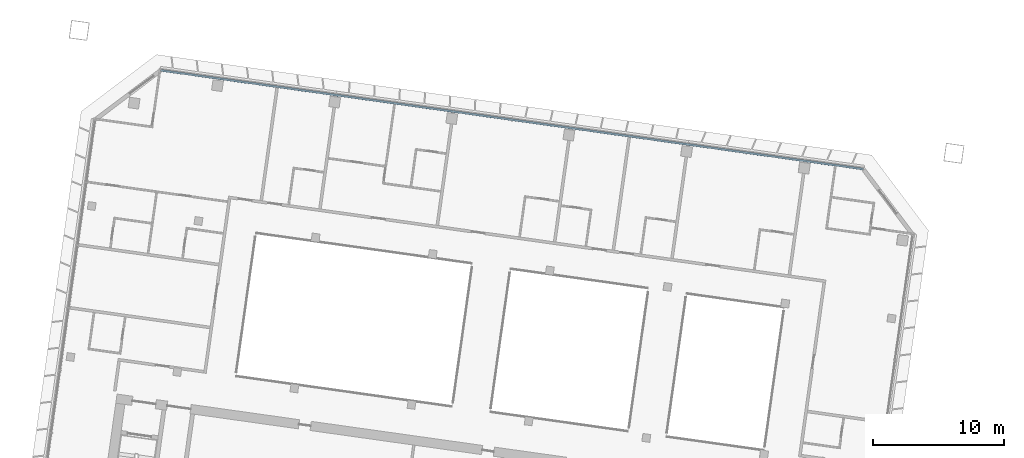
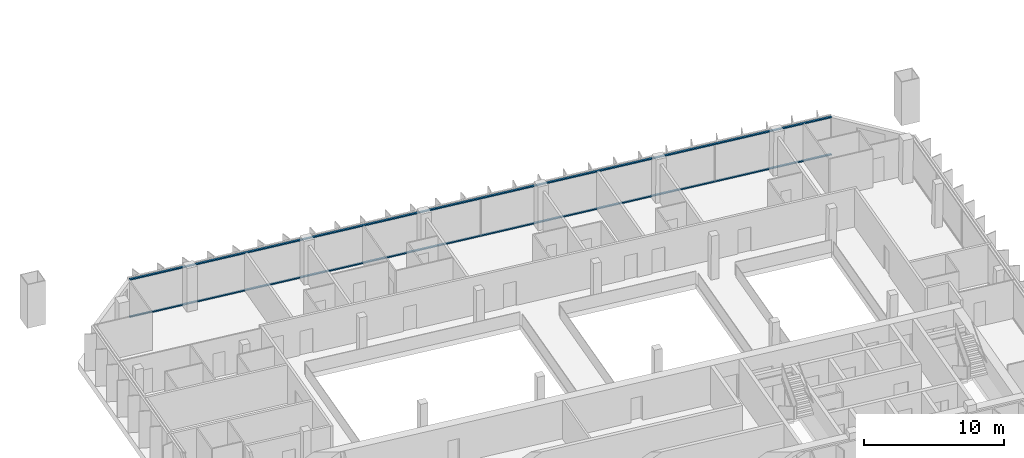
# One storey, part 4 of 26: 2 members, 1 element without a shape of its own.
"""IFC4 building model written with IfcOpenShell, lengths in metres."""

from ifc_helpers import new_model, si_unit, direction, frame, origin, origin_2d, place, context, subcontext, project, spatial, rectangle, extrude, material, material_profile, profile_set, type_object, element, aggregate, save


model = new_model("IFC4")

# Units and contexts
model_context = context("Model", 3, precision=1e-05, world=origin(), true_north=direction((0.0, 1.0)))
body_context = subcontext(model_context, "Body", "Model", "MODEL_VIEW")
ifc_project = project(units=[si_unit("LENGTHUNIT", "METRE"), si_unit("AREAUNIT", "SQUARE_METRE"), si_unit("VOLUMEUNIT", "CUBIC_METRE"), si_unit("PLANEANGLEUNIT", "RADIAN"), si_unit("MASSUNIT", "GRAM", prefix="KILO")], contexts=[model_context])

# Site, building, storey
site_placement = place(None, origin())
site = spatial("IfcSite", under=ifc_project, at=site_placement, CompositionType="ELEMENT")
building_placement = place(site_placement, origin())
building = spatial("IfcBuilding", under=site, at=building_placement, Name="Mirante Cascada Hotel Towers", CompositionType="ELEMENT")
storey_placement = place(building_placement, frame((0.0, 0.0, 161.2)))
storey = spatial("IfcBuildingStorey", under=building, at=storey_placement, Name="L37", CompositionType="ELEMENT", Elevation=161.2)

# Curtain wall, members
ifc_material_1 = material(Name="Aluminium mullion and transom frame with clear laminated glass", Category="aluminium")
curtain_wall_type = type_object("IfcCurtainWallType", Name="Ribbon curtain wall ECW1", PredefinedType="NOTDEFINED", material=ifc_material_1)
curtain_wall_placement = place(storey_placement, origin())
curtain_wall = element("IfcCurtainWall", 1, at=curtain_wall_placement, inside=storey, type_object=curtain_wall_type, Name="Front ribbon wall T1 L37", PredefinedType="NOTDEFINED")
ifc_material_2 = material(Name="Anodised aluminium extrusion", Category="aluminium")
ifc_material_profile = material_profile(ifc_material_2, rectangle(XDim=0.16, YDim=0.1, at=origin_2d()), Name="ECW1 TRANSOM 100x160")
ifc_profile_set = profile_set([ifc_material_profile], Name="Anodised aluminium extrusion")
member_type = type_object("IfcMemberType", Name="ECW1 transom 100x160", PredefinedType="USERDEFINED", material=ifc_profile_set)
member_1_placement = place(storey_placement, frame((-85.2457, 24.7995, 0.05), z_axis=(0.9902683, -0.1391718, 0.0), x_axis=(0.1391718, 0.9902683, 0.0)))
member_1 = element("IfcMember", 2, at=member_1_placement, type_object=member_type, Name="ECW1 sill transom", ObjectType="TRANSOM", PredefinedType="USERDEFINED", context=body_context, shape_type="SweptSolid", body=[
    extrude(rectangle(XDim=0.16, YDim=0.1, at=origin_2d()), origin(), (0.0, 0.0, 1.0), 53.9779),
])
member_2_placement = place(storey_placement, frame((-85.2457, 24.7995, 3.3), z_axis=(0.9902683, -0.1391718, 0.0), x_axis=(0.1391718, 0.9902683, 0.0)))
member_2 = element("IfcMember", 3, at=member_2_placement, type_object=member_type, Name="ECW1 head transom", ObjectType="TRANSOM", PredefinedType="USERDEFINED", context=body_context, shape_type="SweptSolid", body=[
    extrude(rectangle(XDim=0.16, YDim=0.1, at=origin_2d()), origin(), (0.0, 0.0, 1.0), 53.9779),
])
aggregate(curtain_wall, [member_1, member_2])

save(model, "model.ifc")
